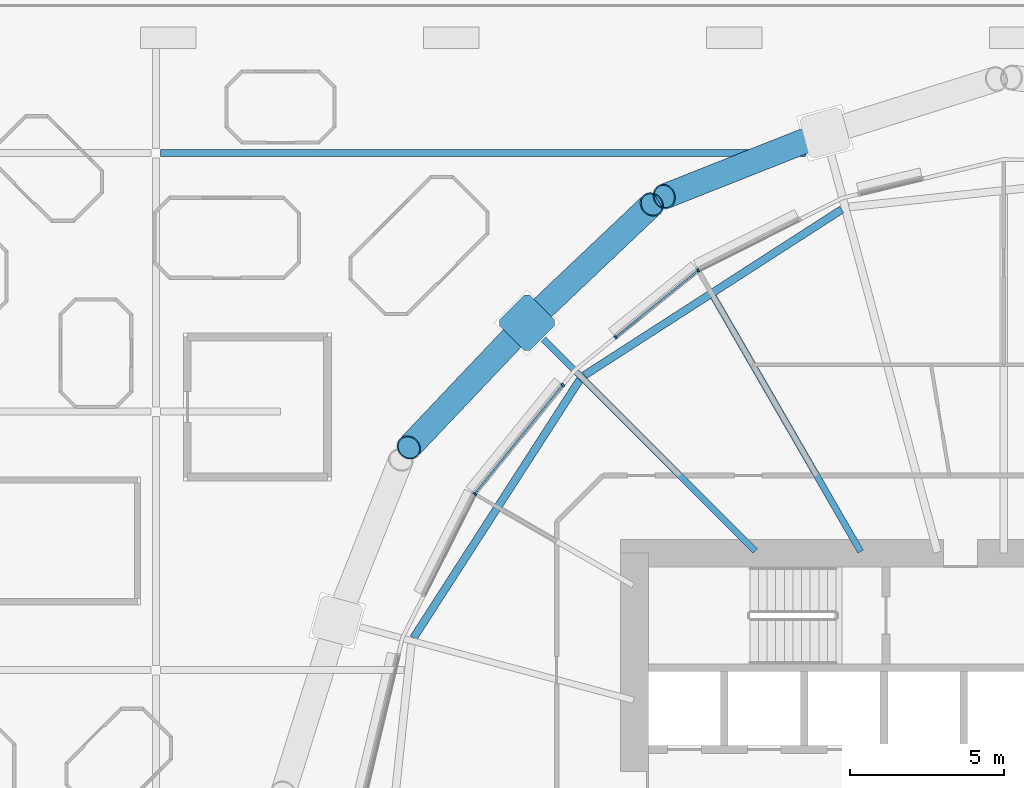
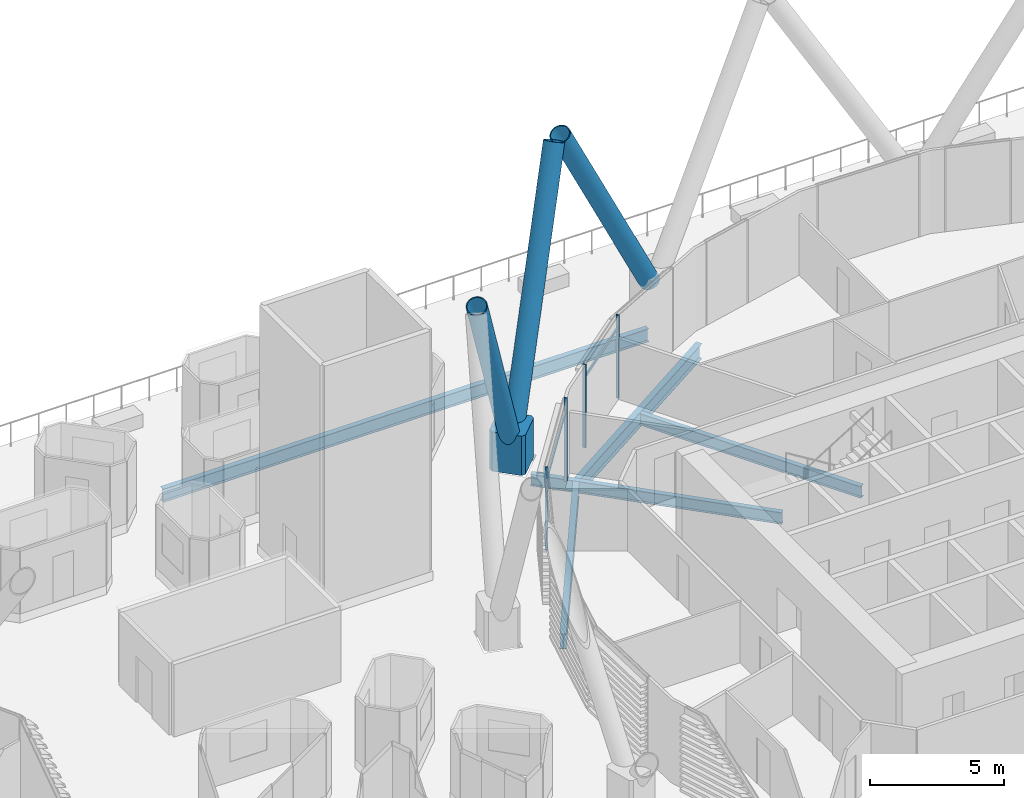
# One storey, part 18 of 47: 10 members, 5 beams, 1 element without a shape of its own.
"""IFC4 building model written with IfcOpenShell, lengths in metres."""

from ifc_helpers import new_model, si_unit, direction, frame, origin, origin_2d, place, context, subcontext, project, spatial, polyline, rectangle, hollow_circle, i_section, outline, extrude, material, material_profile, profile_set, type_object, element, aggregate, save


model = new_model("IFC4")

# Units and contexts
model_context = context("Model", 3, precision=1e-05, world=origin(), true_north=direction((0.0, 1.0)))
body_context = subcontext(model_context, "Body", "Model", "MODEL_VIEW")
ifc_project = project(units=[si_unit("LENGTHUNIT", "METRE"), si_unit("AREAUNIT", "SQUARE_METRE"), si_unit("VOLUMEUNIT", "CUBIC_METRE"), si_unit("PLANEANGLEUNIT", "RADIAN"), si_unit("MASSUNIT", "GRAM", prefix="KILO")], contexts=[model_context])

# Site, building, storey
site_placement = place(None, origin())
site = spatial("IfcSite", under=ifc_project, at=site_placement, CompositionType="ELEMENT")
building_placement = place(site_placement, origin())
building = spatial("IfcBuilding", under=site, at=building_placement, Name="Rimbun Link Towers", CompositionType="ELEMENT")
storey_placement = place(building_placement, frame((0.0, 0.0, 30.0)))
storey = spatial("IfcBuildingStorey", under=building, at=storey_placement, Name="L06", CompositionType="ELEMENT", Elevation=30.0)

# Curtain wall, members
ifc_material_1 = material(Name="Aluminium 6063-T6 and low-iron glass", Category="aluminium")
curtain_wall_type = type_object("IfcCurtainWallType", Name="CW1 unitised vision wall", PredefinedType="NOTDEFINED", material=ifc_material_1)
curtain_wall_placement = place(storey_placement, origin())
curtain_wall = element("IfcCurtainWall", 1, at=curtain_wall_placement, inside=storey, type_object=curtain_wall_type, Name="CW1 L06 T2", PredefinedType="NOTDEFINED")
ifc_material_2 = material(Name="Aluminium 6063-T6", Category="aluminium")
ifc_material_profile_1 = material_profile(ifc_material_2, rectangle(XDim=0.1201171875, YDim=0.06005859375, at=origin_2d()), Name="MULLION 60X120")
ifc_profile_set_1 = profile_set([ifc_material_profile_1], Name="Aluminium 6063-T6")
member_type_1 = type_object("IfcMemberType", Name="CW1 mullion 60X120", PredefinedType="MULLION", material=ifc_profile_set_1)
member_1_placement = place(storey_placement, frame((21.822998046875, 17.188232421875, 0.0), z_axis=(0.0, 0.0, 1.0), x_axis=(-0.542093221733, 0.840318355715, 0.0)))
member_1 = element("IfcMember", 2, at=member_1_placement, type_object=member_type_1, Name="CW1 mullion", PredefinedType="MULLION", context=body_context, shape_type="SweptSolid", body=[
    extrude(rectangle(XDim=0.1201171875, YDim=0.06005859375, at=origin_2d()), origin(), (0.0, 0.0, 1.0), 3.800048828125),
])
member_2_placement = place(storey_placement, frame((19.135986328125, 15.013671875, 0.0), z_axis=(0.0, 0.0, 1.0), x_axis=(-0.629150748856, 0.777283304345, 0.0)))
member_2 = element("IfcMember", 3, at=member_2_placement, type_object=member_type_1, Name="CW1 mullion", PredefinedType="MULLION", context=body_context, shape_type="SweptSolid", body=[
    extrude(rectangle(XDim=0.1201171875, YDim=0.06005859375, at=origin_2d()), origin(), (0.0, 0.0, 1.0), 3.800048828125),
])
member_3_placement = place(storey_placement, frame((14.561767578125, 9.927001953125, 0.0), z_axis=(0.0, 0.0, 1.0), x_axis=(-0.840318355715, 0.542093221733, 0.0)))
member_3 = element("IfcMember", 4, at=member_3_placement, type_object=member_type_1, Name="CW1 mullion", PredefinedType="MULLION", context=body_context, shape_type="SweptSolid", body=[
    extrude(rectangle(XDim=0.1201171875, YDim=0.06005859375, at=origin_2d()), origin(), (0.0, 0.0, 1.0), 3.800048828125),
])
member_4_placement = place(storey_placement, frame((17.42822265625, 13.468994140625, 0.0), z_axis=(0.0, 0.0, 1.0), x_axis=(-0.777283304345, 0.629150748856, 0.0)))
member_4 = element("IfcMember", 5, at=member_4_placement, type_object=member_type_1, Name="CW1 mullion", PredefinedType="MULLION", context=body_context, shape_type="SweptSolid", body=[
    extrude(rectangle(XDim=0.1201171875, YDim=0.06005859375, at=origin_2d()), origin(), (0.0, 0.0, 1.0), 3.800048828125),
])
ifc_material_3 = material(Name="Aluminium 6063-T6", Category="aluminium")
ifc_material_profile_2 = material_profile(ifc_material_3, rectangle(XDim=0.06005859375, YDim=0.1201171875, at=origin_2d()), Name="TRANSOM 60X120")
ifc_profile_set_2 = profile_set([ifc_material_profile_2], Name="Aluminium 6063-T6")
member_type_2 = type_object("IfcMemberType", Name="CW1 transom 60X120", PredefinedType="USERDEFINED", material=ifc_profile_set_2)
member_5_placement = place(storey_placement, frame((19.16064453125, 15.031005859375, 3.199951171875), z_axis=(0.777251578855, 0.629189942042, 0.0), x_axis=(-0.629189942042, 0.777251578855, 0.0)))
member_5 = element("IfcMember", 6, at=member_5_placement, type_object=member_type_2, Name="CW1 transom", ObjectType="TRANSOM", PredefinedType="USERDEFINED", context=body_context, shape_type="SweptSolid", body=[
    extrude(rectangle(XDim=0.06005859375, YDim=0.1201171875, at=origin_2d()), origin(), (0.0, 0.0, 1.0), 3.39013671875),
])
member_6_placement = place(storey_placement, frame((14.5859375, 9.954345703125, 3.199951171875), z_axis=(0.62916068758, 0.777275259611, 0.0), x_axis=(-0.777275259611, 0.62916068758, 0.0)))
member_6 = element("IfcMember", 7, at=member_6_placement, type_object=member_type_2, Name="CW1 transom", ObjectType="TRANSOM", PredefinedType="USERDEFINED", context=body_context, shape_type="SweptSolid", body=[
    extrude(rectangle(XDim=0.06005859375, YDim=0.1201171875, at=origin_2d()), origin(), (0.0, 0.0, 1.0), 4.489990234375),
])
aggregate(curtain_wall, [member_1, member_2, member_3, member_4, member_5, member_6])

# Members
ifc_material_4 = material(Name="Steel S460NH", Category="steel")
ifc_material_profile_3 = material_profile(ifc_material_4, hollow_circle(Radius=0.406494140625, WallThickness=0.0400390625, at=origin_2d()), Name="Diagrid diagonal CHS 813x40")
ifc_profile_set_3 = profile_set([ifc_material_profile_3], Name="Steel S460NH")
member_type_3 = type_object("IfcMemberType", Name="Diagrid diagonal CHS 813x40", PredefinedType="BRACE", material=ifc_profile_set_3)
member_7_placement = place(storey_placement, frame((25.719970703125, 21.568359375, 1.33642578125), z_axis=(-0.45347632045, -0.179570689605, 0.872991176488), x_axis=(0.368171899501, -0.929757738563, 0.0)))
element("IfcMember", 8, at=member_7_placement, inside=storey, type_object=member_type_3, Name="Diagrid diagonal T2 L06-L09 04b", PredefinedType="BRACE", context=body_context, shape_type="SweptSolid", body=[
    extrude(hollow_circle(Radius=0.406494140625, WallThickness=0.0400390625, at=origin_2d()), origin(), (0.0, 0.0, 1.0), 11.027587890625),
])
for number, where, z_axis, x_axis, name in (
    (9, (16.4375, 15.655517578125, 1.337158203125), (0.352319323659, 0.333869570557, 0.874300980231), (-0.687846017085, 0.72585663652, 0.0), "Diagrid diagonal T2 L06-L09 06a"),
    (10, (16.094482421875, 15.3125, 1.337158203125), (-0.333869570557, -0.352319323659, 0.874300980231), (0.72585663652, -0.687846017085, 0.0), "Diagrid diagonal T2 L06-L09 06b"),
):
    element("IfcMember", number, at=place(storey_placement, frame(where, z_axis=z_axis, x_axis=x_axis)), inside=storey, type_object=member_type_3, Name=name, PredefinedType="BRACE", context=body_context, shape_type="SweptSolid", body=[
        extrude(hollow_circle(Radius=0.406494140625, WallThickness=0.0400390625, at=origin_2d()), origin(), (0.0, 0.0, 1.0), 11.009521484375),
    ])
ifc_material_5 = material(Name="Cast steel G20Mn5+QT, Rp0.2 300 MPa", Category="steel")
ifc_material_profile_4 = material_profile(ifc_material_5, outline(polyline([(0.699951171875, -0.570068359375), (0.699951171875, 0.570068359375), (0.570068359375, 0.699951171875), (-0.570068359375, 0.699951171875), (-0.699951171875, 0.570068359375), (-0.699951171875, -0.570068359375), (-0.570068359375, -0.699951171875), (0.570068359375, -0.699951171875), (0.699951171875, -0.570068359375)])), Name="NODE 1400x1400")
ifc_profile_set_4 = profile_set([ifc_material_profile_4], Name="Cast steel G20Mn5+QT, Rp0.2 300 MPa")
member_type_4 = type_object("IfcMemberType", Name="Diagrid node cast 1400", PredefinedType="USERDEFINED", material=ifc_profile_set_4)
member_8_placement = place(storey_placement, frame((16.261474609375, 15.488525390625, 0.0), z_axis=(0.0, 0.0, 1.0), x_axis=(-0.707106781187, 0.707106781187, 0.0)))
element("IfcMember", 11, at=member_8_placement, inside=storey, type_object=member_type_4, Name="Diagrid node L06 06", ObjectType="Diagrid node", PredefinedType="USERDEFINED", context=body_context, shape_type="SweptSolid", body=[
    extrude(outline(polyline([(0.699951171875, -0.570068359375), (0.699951171875, 0.570068359375), (0.570068359375, 0.699951171875), (-0.570068359375, 0.699951171875), (-0.699951171875, 0.570068359375), (-0.699951171875, -0.570068359375), (-0.570068359375, -0.699951171875), (0.570068359375, -0.699951171875), (0.699951171875, -0.570068359375)])), origin(), (0.0, 0.0, 1.0), 1.800048828125),
])

# Beams
ifc_material_6 = material(Name="Steel S355J2", Category="steel")
ifc_material_profile_5 = material_profile(ifc_material_6, i_section(OverallWidth=0.209228515625, OverallDepth=0.533203125, WebThickness=0.010009765625, FlangeThickness=0.015625, at=origin_2d()), Name="UB 533x210x92")
ifc_profile_set_5 = profile_set([ifc_material_profile_5], Name="Steel S355J2")
beam_type_1 = type_object("IfcBeamType", Name="UB 533x210x92", PredefinedType="BEAM", material=ifc_profile_set_5)
beam_1_placement = place(storey_placement, frame((27.1005859375, 8.05322265625, -0.56640625), z_axis=(-0.500001003139, 0.866024824621, 0.0), x_axis=(-0.866024824621, -0.500001003139, 0.0)))
element("IfcBeam", 12, at=beam_1_placement, inside=storey, type_object=beam_type_1, Name="Radial beam T2 L06 05", PredefinedType="BEAM", context=body_context, shape_type="SweptSolid", body=[
    extrude(i_section(OverallWidth=0.209228515625, OverallDepth=0.533203125, WebThickness=0.010009765625, FlangeThickness=0.015625, at=origin_2d()), origin(), (0.0, 0.0, 1.0), 9.5595703125),
])
beam_2_placement = place(storey_placement, frame((23.67529296875, 8.07470703125, -0.56640625), z_axis=(-0.707106781187, 0.707106781187, 0.0), x_axis=(-0.707106781187, -0.707106781187, 0.0)))
element("IfcBeam", 13, at=beam_2_placement, inside=storey, type_object=beam_type_1, Name="Radial beam T2 L06 06", PredefinedType="BEAM", context=body_context, shape_type="SweptSolid", body=[
    extrude(i_section(OverallWidth=0.209228515625, OverallDepth=0.533203125, WebThickness=0.010009765625, FlangeThickness=0.015625, at=origin_2d()), origin(), (0.0, 0.0, 1.0), 9.73486328125),
])
ifc_material_7 = material(Name="Steel S355J2", Category="steel")
ifc_material_profile_6 = material_profile(ifc_material_7, i_section(OverallWidth=0.2275390625, OverallDepth=0.6025390625, WebThickness=0.010498046875, FlangeThickness=0.014892578125, at=origin_2d()), Name="UB 610x229x101")
ifc_profile_set_6 = profile_set([ifc_material_profile_6], Name="Steel S355J2")
beam_type_2 = type_object("IfcBeamType", Name="UB 610x229x101", PredefinedType="BEAM", material=ifc_profile_set_6)
beam_3_placement = place(storey_placement, frame((4.353759765625, 21.0, -0.601318359375), z_axis=(1.0, 0.0, 0.0), x_axis=(0.0, 1.0, 0.0)))
element("IfcBeam", 14, at=beam_3_placement, inside=storey, type_object=beam_type_2, Name="Grid beam L06 +21.0", PredefinedType="BEAM", context=body_context, shape_type="SweptSolid", body=[
    extrude(i_section(OverallWidth=0.2275390625, OverallDepth=0.6025390625, WebThickness=0.010498046875, FlangeThickness=0.014892578125, at=origin_2d()), origin(), (0.0, 0.0, 1.0), 20.9560546875),
])
ifc_material_8 = material(Name="Steel S355J2", Category="steel")
ifc_material_profile_7 = material_profile(ifc_material_8, i_section(OverallWidth=0.253662109375, OverallDepth=0.68359375, WebThickness=0.012451171875, FlangeThickness=0.01904296875, at=origin_2d()), Name="UB 686x254x140")
ifc_profile_set_7 = profile_set([ifc_material_profile_7], Name="Steel S355J2")
beam_type_3 = type_object("IfcBeamType", Name="UB 686x254x140", PredefinedType="BEAM", material=ifc_profile_set_7)
beam_4_placement = place(storey_placement, frame((26.482421875, 19.16552734375, -0.641845703125), z_axis=(-0.840626167656, -0.541615773636, 0.0), x_axis=(0.541615773636, -0.840626167656, 0.0)))
element("IfcBeam", 15, at=beam_4_placement, inside=storey, type_object=beam_type_3, Name="Edge beam T2 L06 04-06", PredefinedType="BEAM", context=body_context, shape_type="SweptSolid", body=[
    extrude(i_section(OverallWidth=0.253662109375, OverallDepth=0.68359375, WebThickness=0.012451171875, FlangeThickness=0.01904296875, at=origin_2d()), origin(), (0.0, 0.0, 1.0), 9.946533203125),
])
beam_5_placement = place(storey_placement, frame((17.9716796875, 13.62890625, -0.641845703125), z_axis=(-0.541606359312, -0.840632233235, 0.0), x_axis=(0.840632233235, -0.541606359312, 0.0)))
element("IfcBeam", 16, at=beam_5_placement, inside=storey, type_object=beam_type_3, Name="Edge beam T2 L06 06-08", PredefinedType="BEAM", context=body_context, shape_type="SweptSolid", body=[
    extrude(i_section(OverallWidth=0.253662109375, OverallDepth=0.68359375, WebThickness=0.012451171875, FlangeThickness=0.01904296875, at=origin_2d()), origin(), (0.0, 0.0, 1.0), 9.9697265625),
])

save(model, "model.ifc")
